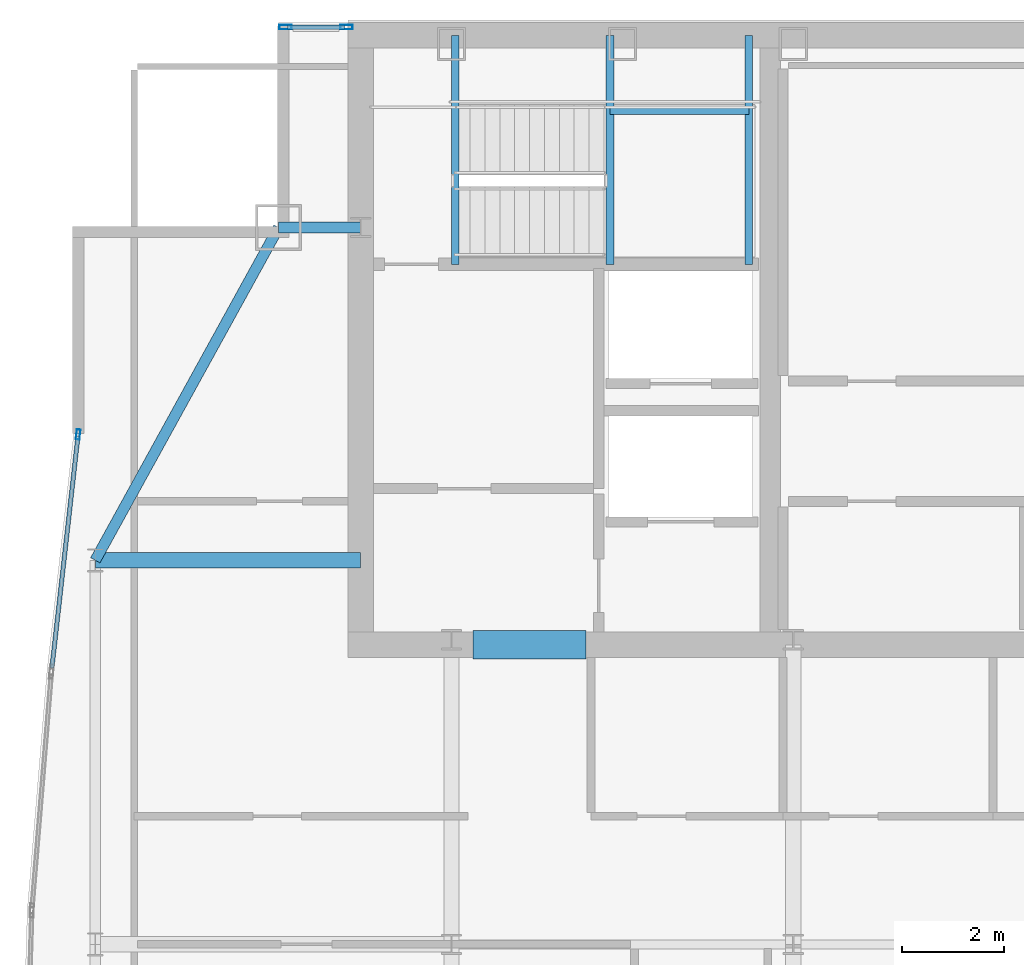
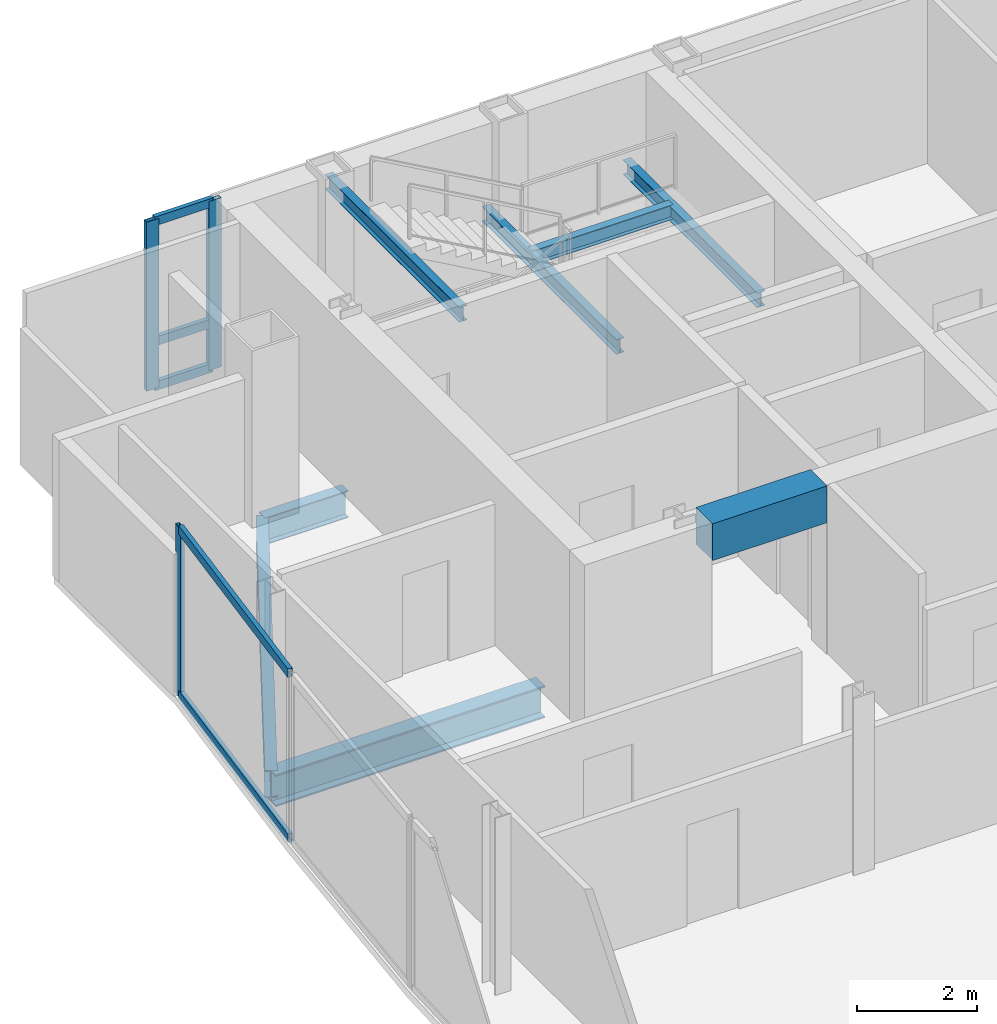
# One storey, part 16 of 25: 8 beams, 8 members, 2 elements without a shape of their own.
"""IFC4 building model written with IfcOpenShell, lengths in metres."""

import ifcopenshell
import ifcopenshell.guid

model = None  # the IFC model being written
_history = None  # IfcOwnerHistory: only IFC2X3 demands one
_inside = {}  # id of a spatial element -> (the spatial element, [elements in it])
_under = {}  # id of a project, library or spatial element -> (it, [spatial elements below it])
_declared = {}  # id of a project -> (the project, [libraries it declares])
_typed = {}  # id of a type object -> (the type object, [elements of that type])
_made_of = {}  # id of a material, layer set ... -> (it, [elements and type objects made of it])


def new_model(schema):
    """Start an empty IFC model of exactly this schema.

    Asked for "IFC4X3", IfcOpenShell would pick the latest addendum, in which some entities
    have other attributes; the version numbers below select the first issue.
    IFC2X3 requires an IfcOwnerHistory on every rooted entity: one is made here for all.
    """
    global model, _history
    if schema == "IFC4X3":
        model = ifcopenshell.file(schema_version=(4, 3, 0, 0))
    else:
        model = ifcopenshell.file(schema=schema)
    _inside.clear()
    _under.clear()
    _declared.clear()
    _typed.clear()
    _made_of.clear()
    _history = None
    if model.schema == "IFC2X3":
        org = make("IfcOrganization", Name="unknown")
        user = make(
            "IfcPersonAndOrganization",
            ThePerson=make("IfcPerson", FamilyName="unknown"),
            TheOrganization=org,
        )
        app = make(
            "IfcApplication",
            ApplicationDeveloper=org,
            Version="unknown",
            ApplicationFullName="unknown",
            ApplicationIdentifier="unknown",
        )
        _history = make(
            "IfcOwnerHistory",
            OwningUser=user,
            OwningApplication=app,
            ChangeAction="ADDED",
            CreationDate=0,
        )
    return model


def make(cls, **values):
    """One entity of the class cls with the attributes given. An attribute that is None is left unset."""
    return model.create_entity(
        cls, **{name: value for name, value in values.items() if value is not None}
    )


def rooted(cls, **values):
    """An entity with a GlobalId (a new one), such as an element, a storey or a relation."""
    return make(cls, GlobalId=ifcopenshell.guid.new(), OwnerHistory=_history, **values)


def si_unit(unit_type, name, prefix=None):
    """IfcSIUnit, for example si_unit("LENGTHUNIT", "METRE", prefix="MILLI")."""
    return make("IfcSIUnit", UnitType=unit_type, Prefix=prefix, Name=name)


def assignment(units):
    """IfcUnitAssignment: the units of a project."""
    return None if units is None else make("IfcUnitAssignment", Units=units)


def point(xyz):
    """IfcCartesianPoint."""
    return None if xyz is None else make("IfcCartesianPoint", Coordinates=xyz)


def direction(xyz):
    """IfcDirection."""
    return None if xyz is None else make("IfcDirection", DirectionRatios=xyz)


def frame(location, z_axis=None, x_axis=None):
    """IfcAxis2Placement3D, a coordinate frame: its origin and axes. An axis left out is left unset."""
    return make(
        "IfcAxis2Placement3D",
        Location=point(location),
        Axis=direction(z_axis),
        RefDirection=direction(x_axis),
    )


def frame_2d(location, x_axis=None):
    """IfcAxis2Placement2D, a coordinate frame in the plane: its origin and x axis."""
    return make(
        "IfcAxis2Placement2D", Location=point(location), RefDirection=direction(x_axis)
    )


def origin():
    """The frame at (0, 0, 0) with its axes left unset."""
    return frame((0.0, 0.0, 0.0))


def origin_2d():
    """The frame at (0, 0) in the plane with its x axis left unset."""
    return frame_2d((0.0, 0.0))


def place(relative_to, where):
    """IfcLocalPlacement: puts the frame where relative to a parent placement (None: the world)."""
    return make(
        "IfcLocalPlacement", PlacementRelTo=relative_to, RelativePlacement=where
    )


def context(
    kind, dimensions, precision=None, world=None, true_north=None, identifier=None
):
    """IfcGeometricRepresentationContext, for example the 3D "Model" context."""
    return make(
        "IfcGeometricRepresentationContext",
        ContextIdentifier=identifier,
        ContextType=kind,
        CoordinateSpaceDimension=dimensions,
        Precision=precision,
        WorldCoordinateSystem=world,
        TrueNorth=true_north,
    )


def subcontext(parent, identifier, kind, view, scale=None):
    """IfcGeometricRepresentationSubContext, for example "Body" below "Model"."""
    return make(
        "IfcGeometricRepresentationSubContext",
        ContextIdentifier=identifier,
        ContextType=kind,
        ParentContext=parent,
        TargetScale=scale,
        TargetView=view,
    )


def project(units=None, contexts=None):
    """IfcProject with its units and contexts."""
    return rooted(
        "IfcProject",
        Name="project",
        RepresentationContexts=contexts,
        UnitsInContext=assignment(units),
    )


def spatial(cls, under=None, at=None, **own):
    """A site, building, storey or space (cls), placed at a placement, below another one or the project."""
    s = rooted(cls, ObjectPlacement=at, **own)
    if under is not None:
        _under.setdefault(under.id(), (under, []))[1].append(s)
    return s


def profile(cls, at=None, kind="AREA", **sizes):
    """A parametric profile (cls). Its sizes go by their IFC names, for example OverallWidth=200.0."""
    return make(cls, ProfileType=kind, Position=at, **sizes)


def rectangle(**sizes):
    """IfcRectangleProfileDef."""
    return profile("IfcRectangleProfileDef", **sizes)


def hollow_rectangle(**sizes):
    """IfcRectangleHollowProfileDef."""
    return profile("IfcRectangleHollowProfileDef", **sizes)


def i_section(**sizes):
    """IfcIShapeProfileDef."""
    return profile("IfcIShapeProfileDef", **sizes)


def extrude(swept, where, along, depth):
    """IfcExtrudedAreaSolid: the profile swept, set in the frame where, extruded along a direction by depth."""
    return make(
        "IfcExtrudedAreaSolid",
        SweptArea=swept,
        Position=where,
        ExtrudedDirection=direction(along),
        Depth=depth,
    )


def shape(context_of_items, identifier, shape_type, items):
    """IfcShapeRepresentation: the items that make up one representation, for example the "Body"."""
    return make(
        "IfcShapeRepresentation",
        ContextOfItems=context_of_items,
        RepresentationIdentifier=identifier,
        RepresentationType=shape_type,
        Items=items,
    )


def material(Name=None, Category=None):
    """IfcMaterial."""
    return make("IfcMaterial", Name=Name, Category=Category)


def material_profile(
    of_material, cross_section, Name=None, Category=None, Priority=None
):
    """IfcMaterialProfile: a cross section and its material."""
    return make(
        "IfcMaterialProfile",
        Name=Name,
        Material=of_material,
        Profile=cross_section,
        Priority=Priority,
        Category=Category,
    )


def profile_set(profiles, Name=None, composite=None):
    """IfcMaterialProfileSet."""
    return make(
        "IfcMaterialProfileSet",
        Name=Name,
        MaterialProfiles=profiles,
        CompositeProfile=composite,
    )


def made_of(thing, what):
    """Note that an element or type object is made of a material, layer set ...; save() writes the relation."""
    if what is not None:
        _made_of.setdefault(what.id(), (what, []))[1].append(thing)
    return thing


def type_object(cls, material=None, **own):
    """A type object (cls), such as IfcWallType, which elements share."""
    return made_of(rooted(cls, **own), material)


def element(
    cls,
    number,
    at=None,
    inside=None,
    cuts=None,
    type_object=None,
    material=None,
    context=None,
    identifier="Body",
    shape_type=None,
    held_by="IfcProductDefinitionShape",
    body=None,
    shapes=None,
    **own,
):
    """One element of the class cls, such as IfcWall. Its Tag is "e" and its number.

    at: its placement. inside: the storey or other place that contains it. cuts: it is an
    opening in that element (IfcRelVoidsElement). A single representation is given by context,
    identifier, shape_type and body (its items); several are given by shapes. held_by: the class
    of the entity that holds the representations. save() writes the other relations.
    """
    e = rooted(cls, Tag="e%d" % number, ObjectPlacement=at, **own)
    if body is not None:
        shapes = [shape(context, identifier, shape_type, body)]
    if shapes is not None:
        e.Representation = make(held_by, Representations=shapes)
    if inside is not None:
        _inside.setdefault(inside.id(), (inside, []))[1].append(e)
    if cuts is not None:
        rooted(
            "IfcRelVoidsElement", RelatingBuildingElement=cuts, RelatedOpeningElement=e
        )
    if type_object is not None:
        _typed.setdefault(type_object.id(), (type_object, []))[1].append(e)
    return made_of(e, material)


def aggregate(whole, parts):
    """IfcRelAggregates: a whole, such as a stair, and the parts it consists of."""
    return rooted("IfcRelAggregates", RelatingObject=whole, RelatedObjects=parts)


def save(model, path):
    """Write the relations noted so far, then the file.

    IfcRelAggregates (storeys below a building ...), IfcRelContainedInSpatialStructure (elements
    in a storey), IfcRelDefinesByType, IfcRelAssociatesMaterial and IfcRelDeclares: one each for
    every whole, place, type object, material and project.
    """
    for whole, parts in _under.values():
        aggregate(whole, parts)
    for where, things in _inside.values():
        rooted(
            "IfcRelContainedInSpatialStructure",
            RelatedElements=things,
            RelatingStructure=where,
        )
    for kind, things in _typed.values():
        rooted("IfcRelDefinesByType", RelatedObjects=things, RelatingType=kind)
    for what, things in _made_of.values():
        rooted("IfcRelAssociatesMaterial", RelatedObjects=things, RelatingMaterial=what)
    for by, libraries in _declared.values():
        rooted("IfcRelDeclares", RelatingContext=by, RelatedDefinitions=libraries)
    model.write(path)


model = new_model("IFC4")

# Units and contexts
model_context = context("Model", 3, precision=1e-05, world=origin(), true_north=direction((0.0, 1.0)))
body_context = subcontext(model_context, "Body", "Model", "MODEL_VIEW")
ifc_project = project(units=[si_unit("LENGTHUNIT", "METRE"), si_unit("AREAUNIT", "SQUARE_METRE"), si_unit("VOLUMEUNIT", "CUBIC_METRE"), si_unit("PLANEANGLEUNIT", "RADIAN"), si_unit("MASSUNIT", "GRAM", prefix="KILO")], contexts=[model_context])

# Site, building, storey
site_placement = place(None, origin())
site = spatial("IfcSite", under=ifc_project, at=site_placement, CompositionType="ELEMENT")
building_placement = place(site_placement, origin())
building = spatial("IfcBuilding", under=site, at=building_placement, Name="Khoronbel Lancet Exchange", CompositionType="ELEMENT")
storey_placement = place(building_placement, frame((0.0, 0.0, 295.0)))
storey = spatial("IfcBuildingStorey", under=building, at=storey_placement, Name="L76", CompositionType="ELEMENT", Elevation=295.0)

# Beams
ifc_material_1 = material(Name="Steel S355", Category="steel")
ifc_material_profile_1 = material_profile(ifc_material_1, i_section(OverallWidth=0.300048828125, OverallDepth=0.64990234375, WebThickness=0.01611328125, FlangeThickness=0.031005859375, at=origin_2d()), Name="HEB 650")
ifc_profile_set_1 = profile_set([ifc_material_profile_1], Name="Steel S355")
beam_type_1 = type_object("IfcBeamType", Name="BM-BG4", PredefinedType="BEAM", material=ifc_profile_set_1)
beam_1_placement = place(storey_placement, frame((11.27001953125, 43.199951171875, -0.485107421875), z_axis=(1.0, 0.0, 0.0), x_axis=(0.0, 1.0, 0.0)))
element("IfcBeam", 1, at=beam_1_placement, inside=storey, type_object=beam_type_1, Name="Level L76 west lens tie girder LG3W", PredefinedType="BEAM", context=body_context, shape_type="SweptSolid", body=[
    extrude(i_section(OverallWidth=0.300048828125, OverallDepth=0.64990234375, WebThickness=0.01611328125, FlangeThickness=0.031005859375, at=origin_2d()), origin(), (0.0, 0.0, 1.0), 5.179931640625),
])
ifc_material_profile_2 = material_profile(ifc_material_1, i_section(OverallWidth=0.14990234375, OverallDepth=0.300048828125, WebThickness=0.007080078125, FlangeThickness=0.0107421875, at=origin_2d()), Name="IPE 300")
ifc_profile_set_2 = profile_set([ifc_material_profile_2], Name="Steel S355")
beam_type_2 = type_object("IfcBeamType", Name="BM-BJ8", PredefinedType="JOIST", material=ifc_profile_set_2)
for number, where, z_axis, x_axis, name in (
    (2, (21.320068359375, 48.97998046875, 1.449951171875), (0.0, 1.0, 0.0), (-1.0, 0.0, 0.0), "Level L76 stair ST1 landing bearer beam 1"),
    (3, (24.030029296875, 48.97998046875, 1.449951171875), (0.0, 1.0, 0.0), (-1.0, 0.0, 0.0), "Level L76 stair ST1 rear landing bearer beam 1"),
):
    element("IfcBeam", number, at=place(storey_placement, frame(where, z_axis=z_axis, x_axis=x_axis)), inside=storey, type_object=beam_type_2, Name=name, PredefinedType="JOIST", context=body_context, shape_type="SweptSolid", body=[
        extrude(i_section(OverallWidth=0.14990234375, OverallDepth=0.300048828125, WebThickness=0.007080078125, FlangeThickness=0.0107421875, at=origin_2d()), origin(), (0.0, 0.0, 1.0), 4.469970703125),
    ])
beam_2_placement = place(storey_placement, frame((21.320068359375, 51.97998046875, 1.449951171875), z_axis=(1.0, 0.0, 0.0), x_axis=(0.0, 1.0, 0.0)))
element("IfcBeam", 4, at=beam_2_placement, inside=storey, type_object=beam_type_2, Name="Level L76 stair ST1 landing cross trimmer beam 1", PredefinedType="JOIST", context=body_context, shape_type="SweptSolid", body=[
    extrude(i_section(OverallWidth=0.14990234375, OverallDepth=0.300048828125, WebThickness=0.007080078125, FlangeThickness=0.0107421875, at=origin_2d()), origin(), (0.0, 0.0, 1.0), 2.7099609375),
])
beam_3_placement = place(storey_placement, frame((18.300048828125, 48.97998046875, 3.159912109375), z_axis=(0.0, 1.0, 0.0), x_axis=(-1.0, 0.0, 0.0)))
element("IfcBeam", 5, at=beam_3_placement, inside=storey, type_object=beam_type_2, Name="Level L76 stair ST1 upper-flight arrival trimmer beam", PredefinedType="JOIST", context=body_context, shape_type="SweptSolid", body=[
    extrude(i_section(OverallWidth=0.14990234375, OverallDepth=0.300048828125, WebThickness=0.007080078125, FlangeThickness=0.0107421875, at=origin_2d()), origin(), (0.0, 0.0, 1.0), 4.469970703125),
])
ifc_material_2 = material(Name="Concrete C60/75", Category="concrete")
ifc_material_profile_3 = material_profile(ifc_material_2, rectangle(XDim=0.550048828125, YDim=0.75, at=origin_2d()), Name="RC 550x750")
ifc_profile_set_3 = profile_set([ifc_material_profile_3], Name="Concrete C60/75")
beam_type_3 = type_object("IfcBeamType", Name="BM-BL2", PredefinedType="LINTEL", material=ifc_profile_set_3)
beam_4_placement = place(storey_placement, frame((18.64990234375, 41.550048828125, 3.06494140625), z_axis=(1.0, 0.0, 0.0), x_axis=(0.0, 1.0, 0.0)))
element("IfcBeam", 6, at=beam_4_placement, inside=storey, type_object=beam_type_3, Name="Level L76 rear core coupling lintel L1", PredefinedType="LINTEL", context=body_context, shape_type="SweptSolid", body=[
    extrude(rectangle(XDim=0.550048828125, YDim=0.75, at=origin_2d()), origin(), (0.0, 0.0, 1.0), 2.2001953125),
])
ifc_material_profile_4 = material_profile(ifc_material_1, i_section(OverallWidth=0.2099609375, OverallDepth=0.550048828125, WebThickness=0.010986328125, FlangeThickness=0.01708984375, at=origin_2d()), Name="IPE 550")
ifc_profile_set_4 = profile_set([ifc_material_profile_4], Name="Steel S355")
beam_type_4 = type_object("IfcBeamType", Name="BM-BSP3", PredefinedType="SPANDREL", material=ifc_profile_set_4)
beam_5_placement = place(storey_placement, frame((14.85009765625, 49.699951171875, -0.43505859375), z_axis=(-0.482444051088, -0.875926787791, 0.0), x_axis=(0.875926787791, -0.482444051088, 0.0)))
element("IfcBeam", 7, at=beam_5_placement, inside=storey, type_object=beam_type_4, Name="Level L76 perimeter spandrel beam SP16", PredefinedType="SPANDREL", context=body_context, shape_type="SweptSolid", body=[
    extrude(i_section(OverallWidth=0.2099609375, OverallDepth=0.550048828125, WebThickness=0.010986328125, FlangeThickness=0.01708984375, at=origin_2d()), origin(), (0.0, 0.0, 1.0), 7.420654296875),
])
beam_6_placement = place(storey_placement, frame((14.85009765625, 49.699951171875, -0.43505859375), z_axis=(1.0, 0.0, 0.0), x_axis=(0.0, 1.0, 0.0)))
element("IfcBeam", 8, at=beam_6_placement, inside=storey, type_object=beam_type_4, Name="Level L76 north flank tie spandrel SP22", PredefinedType="SPANDREL", context=body_context, shape_type="SweptSolid", body=[
    extrude(i_section(OverallWidth=0.2099609375, OverallDepth=0.550048828125, WebThickness=0.010986328125, FlangeThickness=0.01708984375, at=origin_2d()), origin(), (0.0, 0.0, 1.0), 1.599853515625),
])

# Curtain wall, members
ifc_material_3 = material(Name="Low-E Solar Control Insulating Glass", Category="glass")
curtain_wall_type_1 = type_object("IfcCurtainWallType", Name="CW-3", PredefinedType="NOTDEFINED", material=ifc_material_3)
curtain_wall_1_placement = place(storey_placement, origin())
curtain_wall_1 = element("IfcCurtainWall", 9, at=curtain_wall_1_placement, inside=storey, type_object=curtain_wall_type_1, Name="Unitised curtain wall CW-L76-NWFLK", PredefinedType="NOTDEFINED")
ifc_material_4 = material(Name="Bronze-Anodised Aluminium 6063-T6", Category="aluminium")
ifc_material_profile_5 = material_profile(ifc_material_4, hollow_rectangle(XDim=0.0849609375, YDim=0.239990234375, WallThickness=0.006103515625, at=origin_2d()), Name="ALU MULLION 85x240")
ifc_profile_set_5 = profile_set([ifc_material_profile_5], Name="Bronze-Anodised Aluminium 6063-T6")
member_type_1 = type_object("IfcMemberType", Name="MEM-CWM1", PredefinedType="MULLION", material=ifc_profile_set_5)
member_1_placement = place(storey_placement, frame((16.177490234375, 53.610107421875, 0.0), z_axis=(0.0, 0.0, 1.0), x_axis=(0.0, -1.0, 0.0)))
member_1 = element("IfcMember", 10, at=member_1_placement, type_object=member_type_1, Name="CW3 mullion 1", PredefinedType="MULLION", context=body_context, shape_type="SweptSolid", body=[
    extrude(hollow_rectangle(XDim=0.0849609375, YDim=0.239990234375, WallThickness=0.006103515625, at=origin_2d()), origin(), (0.0, 0.0, 1.0), 3.43994140625),
])
member_2_placement = place(storey_placement, frame((14.982421875, 53.610107421875, 0.0), z_axis=(0.0, 0.0, 1.0), x_axis=(0.0, -1.0, 0.0)))
member_2 = element("IfcMember", 11, at=member_2_placement, type_object=member_type_1, Name="CW3 mullion 2", PredefinedType="MULLION", context=body_context, shape_type="SweptSolid", body=[
    extrude(hollow_rectangle(XDim=0.0849609375, YDim=0.239990234375, WallThickness=0.006103515625, at=origin_2d()), origin(), (0.0, 0.0, 1.0), 3.43994140625),
])

curtain_wall_type_2 = type_object("IfcCurtainWallType", Name="CW-4", PredefinedType="NOTDEFINED", material=ifc_material_3)
curtain_wall_2_placement = place(storey_placement, origin())
curtain_wall_2 = element("IfcCurtainWall", 12, at=curtain_wall_2_placement, inside=storey, type_object=curtain_wall_type_2, Name="Unitised curtain wall CW-L76-E09", PredefinedType="NOTDEFINED")
ifc_material_profile_6 = material_profile(ifc_material_4, hollow_rectangle(XDim=0.074951171875, YDim=0.199951171875, WallThickness=0.0048828125, at=origin_2d()), Name="ALU MULLION 75x200")
ifc_profile_set_6 = profile_set([ifc_material_profile_6], Name="Bronze-Anodised Aluminium 6063-T6")
member_type_2 = type_object("IfcMemberType", Name="MEM-CWM2", PredefinedType="MULLION", material=ifc_profile_set_6)
member_3_placement = place(storey_placement, frame((10.935791015625, 45.65771484375, 0.0), z_axis=(0.0, 0.0, 1.0), x_axis=(-0.993731788903, 0.111790570813, 0.0)))
member_3 = element("IfcMember", 13, at=member_3_placement, type_object=member_type_2, Name="CW4 mullion 2", PredefinedType="MULLION", context=body_context, shape_type="SweptSolid", body=[
    extrude(hollow_rectangle(XDim=0.074951171875, YDim=0.199951171875, WallThickness=0.0048828125, at=origin_2d()), origin(), (0.0, 0.0, 1.0), 3.43994140625),
])
ifc_material_profile_7 = material_profile(ifc_material_4, hollow_rectangle(XDim=0.0849609375, YDim=0.179931640625, WallThickness=0.0048828125, at=origin_2d()), Name="ALU TRANSOM 85x180")
ifc_profile_set_7 = profile_set([ifc_material_profile_7], Name="Bronze-Anodised Aluminium 6063-T6")
member_type_3 = type_object("IfcMemberType", Name="MEM-CWT1", PredefinedType="USERDEFINED", material=ifc_profile_set_7)
member_4_placement = place(storey_placement, frame((10.423095703125, 41.09912109375, 0.04248046875), z_axis=(0.111774239585, 0.993733625961, 0.0), x_axis=(-0.993733625961, 0.111774239585, 0.0)))
member_4 = element("IfcMember", 14, at=member_4_placement, type_object=member_type_3, Name="CW4 transom 1.1", ObjectType="TRANSOM", PredefinedType="USERDEFINED", context=body_context, shape_type="SweptSolid", body=[
    extrude(hollow_rectangle(XDim=0.0849609375, YDim=0.179931640625, WallThickness=0.0048828125, at=origin_2d()), origin(), (0.0, 0.0, 1.0), 4.5498046875),
])
member_5_placement = place(storey_placement, frame((10.423095703125, 41.09912109375, 3.3974609375), z_axis=(0.111774239585, 0.993733625961, 0.0), x_axis=(-0.993733625961, 0.111774239585, 0.0)))
member_5 = element("IfcMember", 15, at=member_5_placement, type_object=member_type_3, Name="CW4 transom 1.2", ObjectType="TRANSOM", PredefinedType="USERDEFINED", context=body_context, shape_type="SweptSolid", body=[
    extrude(hollow_rectangle(XDim=0.0849609375, YDim=0.179931640625, WallThickness=0.0048828125, at=origin_2d()), origin(), (0.0, 0.0, 1.0), 4.5498046875),
])
aggregate(curtain_wall_2, [member_3, member_4, member_5])

# Member
member_6_placement = place(storey_placement, frame((16.135009765625, 53.610107421875, 0.04248046875), z_axis=(-1.0, 0.0, 0.0), x_axis=(0.0, -1.0, 0.0)))
member_6 = element("IfcMember", 16, at=member_6_placement, type_object=member_type_3, Name="CW3 transom 1.1", ObjectType="TRANSOM", PredefinedType="USERDEFINED", context=body_context, shape_type="SweptSolid", body=[
    extrude(hollow_rectangle(XDim=0.0849609375, YDim=0.179931640625, WallThickness=0.0048828125, at=origin_2d()), origin(), (0.0, 0.0, 1.0), 1.110107421875),
])

member_7_placement = place(storey_placement, frame((16.135009765625, 53.610107421875, 0.949951171875), z_axis=(-1.0, 0.0, 0.0), x_axis=(0.0, -1.0, 0.0)))
member_7 = element("IfcMember", 17, at=member_7_placement, type_object=member_type_3, Name="CW3 transom 1.2", ObjectType="TRANSOM", PredefinedType="USERDEFINED", context=body_context, shape_type="SweptSolid", body=[
    extrude(hollow_rectangle(XDim=0.0849609375, YDim=0.179931640625, WallThickness=0.0048828125, at=origin_2d()), origin(), (0.0, 0.0, 1.0), 1.110107421875),
])

member_8_placement = place(storey_placement, frame((16.135009765625, 53.610107421875, 3.3974609375), z_axis=(-1.0, 0.0, 0.0), x_axis=(0.0, -1.0, 0.0)))
member_8 = element("IfcMember", 18, at=member_8_placement, type_object=member_type_3, Name="CW3 transom 1.3", ObjectType="TRANSOM", PredefinedType="USERDEFINED", context=body_context, shape_type="SweptSolid", body=[
    extrude(hollow_rectangle(XDim=0.0849609375, YDim=0.179931640625, WallThickness=0.0048828125, at=origin_2d()), origin(), (0.0, 0.0, 1.0), 1.110107421875),
])

aggregate(curtain_wall_1, [member_1, member_2, member_6, member_7, member_8])

save(model, "model.ifc")
